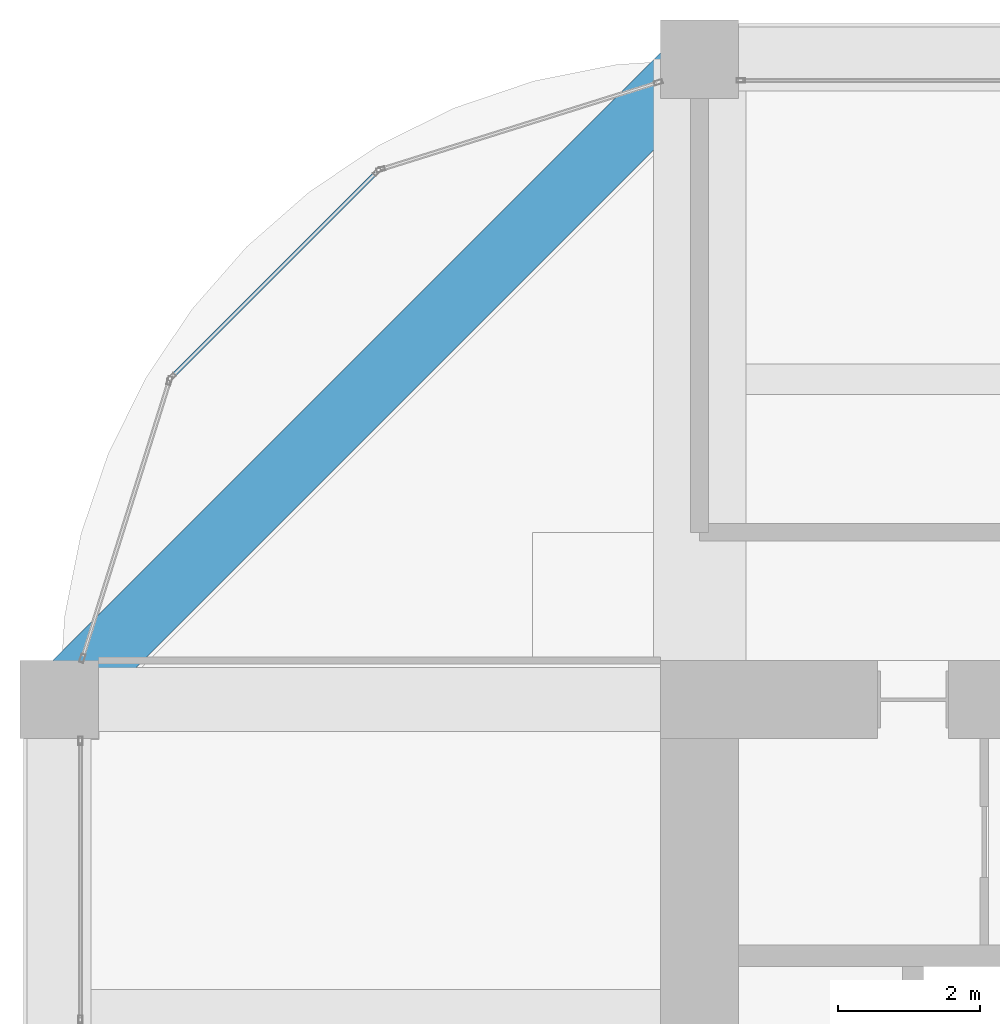
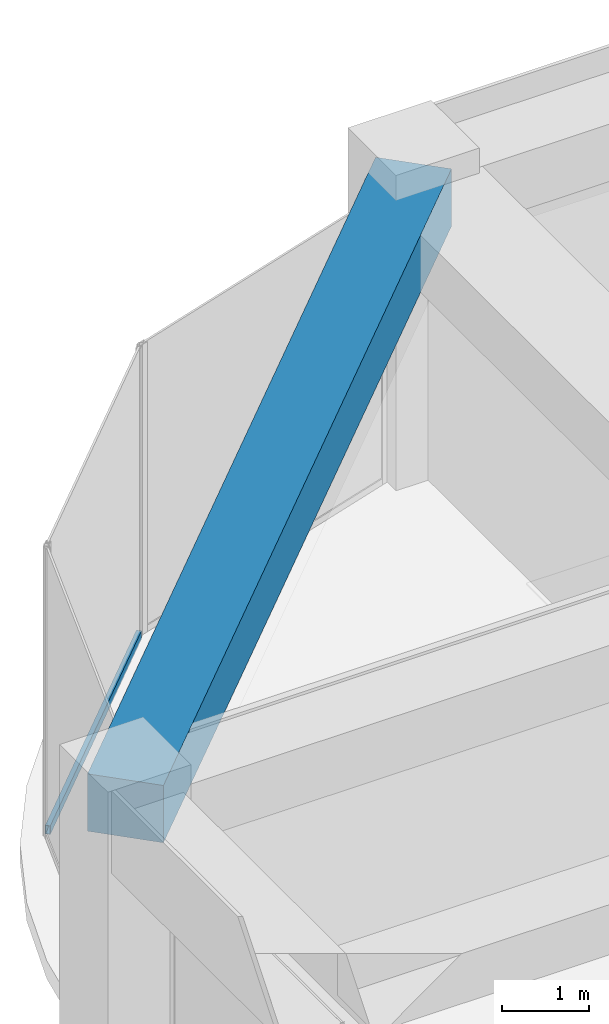
# One storey, part 29 of 44: 1 beam, 1 member, 1 element without a shape of its own.
"""IFC4 building model written with IfcOpenShell, lengths in metres."""

import ifcopenshell
import ifcopenshell.guid

model = None  # the IFC model being written
_history = None  # IfcOwnerHistory: only IFC2X3 demands one
_inside = {}  # id of a spatial element -> (the spatial element, [elements in it])
_under = {}  # id of a project, library or spatial element -> (it, [spatial elements below it])
_declared = {}  # id of a project -> (the project, [libraries it declares])
_typed = {}  # id of a type object -> (the type object, [elements of that type])
_made_of = {}  # id of a material, layer set ... -> (it, [elements and type objects made of it])


def new_model(schema):
    """Start an empty IFC model of exactly this schema.

    Asked for "IFC4X3", IfcOpenShell would pick the latest addendum, in which some entities
    have other attributes; the version numbers below select the first issue.
    IFC2X3 requires an IfcOwnerHistory on every rooted entity: one is made here for all.
    """
    global model, _history
    if schema == "IFC4X3":
        model = ifcopenshell.file(schema_version=(4, 3, 0, 0))
    else:
        model = ifcopenshell.file(schema=schema)
    _inside.clear()
    _under.clear()
    _declared.clear()
    _typed.clear()
    _made_of.clear()
    _history = None
    if model.schema == "IFC2X3":
        org = make("IfcOrganization", Name="unknown")
        user = make(
            "IfcPersonAndOrganization",
            ThePerson=make("IfcPerson", FamilyName="unknown"),
            TheOrganization=org,
        )
        app = make(
            "IfcApplication",
            ApplicationDeveloper=org,
            Version="unknown",
            ApplicationFullName="unknown",
            ApplicationIdentifier="unknown",
        )
        _history = make(
            "IfcOwnerHistory",
            OwningUser=user,
            OwningApplication=app,
            ChangeAction="ADDED",
            CreationDate=0,
        )
    return model


def make(cls, **values):
    """One entity of the class cls with the attributes given. An attribute that is None is left unset."""
    return model.create_entity(
        cls, **{name: value for name, value in values.items() if value is not None}
    )


def rooted(cls, **values):
    """An entity with a GlobalId (a new one), such as an element, a storey or a relation."""
    return make(cls, GlobalId=ifcopenshell.guid.new(), OwnerHistory=_history, **values)


def si_unit(unit_type, name, prefix=None):
    """IfcSIUnit, for example si_unit("LENGTHUNIT", "METRE", prefix="MILLI")."""
    return make("IfcSIUnit", UnitType=unit_type, Prefix=prefix, Name=name)


def assignment(units):
    """IfcUnitAssignment: the units of a project."""
    return None if units is None else make("IfcUnitAssignment", Units=units)


def point(xyz):
    """IfcCartesianPoint."""
    return None if xyz is None else make("IfcCartesianPoint", Coordinates=xyz)


def direction(xyz):
    """IfcDirection."""
    return None if xyz is None else make("IfcDirection", DirectionRatios=xyz)


def frame(location, z_axis=None, x_axis=None):
    """IfcAxis2Placement3D, a coordinate frame: its origin and axes. An axis left out is left unset."""
    return make(
        "IfcAxis2Placement3D",
        Location=point(location),
        Axis=direction(z_axis),
        RefDirection=direction(x_axis),
    )


def frame_2d(location, x_axis=None):
    """IfcAxis2Placement2D, a coordinate frame in the plane: its origin and x axis."""
    return make(
        "IfcAxis2Placement2D", Location=point(location), RefDirection=direction(x_axis)
    )


def origin():
    """The frame at (0, 0, 0) with its axes left unset."""
    return frame((0.0, 0.0, 0.0))


def origin_2d():
    """The frame at (0, 0) in the plane with its x axis left unset."""
    return frame_2d((0.0, 0.0))


def place(relative_to, where):
    """IfcLocalPlacement: puts the frame where relative to a parent placement (None: the world)."""
    return make(
        "IfcLocalPlacement", PlacementRelTo=relative_to, RelativePlacement=where
    )


def context(
    kind, dimensions, precision=None, world=None, true_north=None, identifier=None
):
    """IfcGeometricRepresentationContext, for example the 3D "Model" context."""
    return make(
        "IfcGeometricRepresentationContext",
        ContextIdentifier=identifier,
        ContextType=kind,
        CoordinateSpaceDimension=dimensions,
        Precision=precision,
        WorldCoordinateSystem=world,
        TrueNorth=true_north,
    )


def subcontext(parent, identifier, kind, view, scale=None):
    """IfcGeometricRepresentationSubContext, for example "Body" below "Model"."""
    return make(
        "IfcGeometricRepresentationSubContext",
        ContextIdentifier=identifier,
        ContextType=kind,
        ParentContext=parent,
        TargetScale=scale,
        TargetView=view,
    )


def project(units=None, contexts=None):
    """IfcProject with its units and contexts."""
    return rooted(
        "IfcProject",
        Name="project",
        RepresentationContexts=contexts,
        UnitsInContext=assignment(units),
    )


def spatial(cls, under=None, at=None, **own):
    """A site, building, storey or space (cls), placed at a placement, below another one or the project."""
    s = rooted(cls, ObjectPlacement=at, **own)
    if under is not None:
        _under.setdefault(under.id(), (under, []))[1].append(s)
    return s


def profile(cls, at=None, kind="AREA", **sizes):
    """A parametric profile (cls). Its sizes go by their IFC names, for example OverallWidth=200.0."""
    return make(cls, ProfileType=kind, Position=at, **sizes)


def rectangle(**sizes):
    """IfcRectangleProfileDef."""
    return profile("IfcRectangleProfileDef", **sizes)


def hollow_rectangle(**sizes):
    """IfcRectangleHollowProfileDef."""
    return profile("IfcRectangleHollowProfileDef", **sizes)


def extrude(swept, where, along, depth):
    """IfcExtrudedAreaSolid: the profile swept, set in the frame where, extruded along a direction by depth."""
    return make(
        "IfcExtrudedAreaSolid",
        SweptArea=swept,
        Position=where,
        ExtrudedDirection=direction(along),
        Depth=depth,
    )


def shape(context_of_items, identifier, shape_type, items):
    """IfcShapeRepresentation: the items that make up one representation, for example the "Body"."""
    return make(
        "IfcShapeRepresentation",
        ContextOfItems=context_of_items,
        RepresentationIdentifier=identifier,
        RepresentationType=shape_type,
        Items=items,
    )


def material(Name=None, Category=None):
    """IfcMaterial."""
    return make("IfcMaterial", Name=Name, Category=Category)


def material_profile(
    of_material, cross_section, Name=None, Category=None, Priority=None
):
    """IfcMaterialProfile: a cross section and its material."""
    return make(
        "IfcMaterialProfile",
        Name=Name,
        Material=of_material,
        Profile=cross_section,
        Priority=Priority,
        Category=Category,
    )


def profile_set(profiles, Name=None, composite=None):
    """IfcMaterialProfileSet."""
    return make(
        "IfcMaterialProfileSet",
        Name=Name,
        MaterialProfiles=profiles,
        CompositeProfile=composite,
    )


def made_of(thing, what):
    """Note that an element or type object is made of a material, layer set ...; save() writes the relation."""
    if what is not None:
        _made_of.setdefault(what.id(), (what, []))[1].append(thing)
    return thing


def type_object(cls, material=None, **own):
    """A type object (cls), such as IfcWallType, which elements share."""
    return made_of(rooted(cls, **own), material)


def element(
    cls,
    number,
    at=None,
    inside=None,
    cuts=None,
    type_object=None,
    material=None,
    context=None,
    identifier="Body",
    shape_type=None,
    held_by="IfcProductDefinitionShape",
    body=None,
    shapes=None,
    **own,
):
    """One element of the class cls, such as IfcWall. Its Tag is "e" and its number.

    at: its placement. inside: the storey or other place that contains it. cuts: it is an
    opening in that element (IfcRelVoidsElement). A single representation is given by context,
    identifier, shape_type and body (its items); several are given by shapes. held_by: the class
    of the entity that holds the representations. save() writes the other relations.
    """
    e = rooted(cls, Tag="e%d" % number, ObjectPlacement=at, **own)
    if body is not None:
        shapes = [shape(context, identifier, shape_type, body)]
    if shapes is not None:
        e.Representation = make(held_by, Representations=shapes)
    if inside is not None:
        _inside.setdefault(inside.id(), (inside, []))[1].append(e)
    if cuts is not None:
        rooted(
            "IfcRelVoidsElement", RelatingBuildingElement=cuts, RelatedOpeningElement=e
        )
    if type_object is not None:
        _typed.setdefault(type_object.id(), (type_object, []))[1].append(e)
    return made_of(e, material)


def aggregate(whole, parts):
    """IfcRelAggregates: a whole, such as a stair, and the parts it consists of."""
    return rooted("IfcRelAggregates", RelatingObject=whole, RelatedObjects=parts)


def save(model, path):
    """Write the relations noted so far, then the file.

    IfcRelAggregates (storeys below a building ...), IfcRelContainedInSpatialStructure (elements
    in a storey), IfcRelDefinesByType, IfcRelAssociatesMaterial and IfcRelDeclares: one each for
    every whole, place, type object, material and project.
    """
    for whole, parts in _under.values():
        aggregate(whole, parts)
    for where, things in _inside.values():
        rooted(
            "IfcRelContainedInSpatialStructure",
            RelatedElements=things,
            RelatingStructure=where,
        )
    for kind, things in _typed.values():
        rooted("IfcRelDefinesByType", RelatedObjects=things, RelatingType=kind)
    for what, things in _made_of.values():
        rooted("IfcRelAssociatesMaterial", RelatedObjects=things, RelatingMaterial=what)
    for by, libraries in _declared.values():
        rooted("IfcRelDeclares", RelatingContext=by, RelatedDefinitions=libraries)
    model.write(path)


model = new_model("IFC4")

# Units and contexts
model_context = context("Model", 3, precision=1e-05, world=origin(), true_north=direction((0.0, 1.0)))
body_context = subcontext(model_context, "Body", "Model", "MODEL_VIEW")
ifc_project = project(units=[si_unit("LENGTHUNIT", "METRE"), si_unit("AREAUNIT", "SQUARE_METRE"), si_unit("VOLUMEUNIT", "CUBIC_METRE"), si_unit("PLANEANGLEUNIT", "RADIAN"), si_unit("MASSUNIT", "GRAM", prefix="KILO")], contexts=[model_context])

# Site, building, storey
site_placement = place(None, origin())
site = spatial("IfcSite", under=ifc_project, at=site_placement, CompositionType="ELEMENT")
building_placement = place(site_placement, origin())
building = spatial("IfcBuilding", under=site, at=building_placement, Name="Zorevar Civic Tower", CompositionType="ELEMENT")
storey_placement = place(building_placement, frame((0.0, 0.0, 307.39990234375)))
storey = spatial("IfcBuildingStorey", under=building, at=storey_placement, Name="L75", CompositionType="ELEMENT", Elevation=307.39990234375)

# Curtain wall, member
ifc_material_1 = material(Name="Dark grey solar-control glass in black aluminium frame", Category="aluminium")
curtain_wall_type = type_object("IfcCurtainWallType", Name="Curtain wall CW5 top zone", PredefinedType="NOTDEFINED", material=ifc_material_1)
curtain_wall_placement = place(storey_placement, origin())
curtain_wall = element("IfcCurtainWall", 1, at=curtain_wall_placement, inside=storey, type_object=curtain_wall_type, Name="CW5 L75", PredefinedType="NOTDEFINED")
ifc_material_2 = material(Name="Aluminium, black anodised", Category="aluminium")
ifc_material_profile_1 = material_profile(ifc_material_2, hollow_rectangle(XDim=0.06005859375, YDim=0.1201171875, WallThickness=0.0029296875, at=origin_2d()), Name="AL 120x60x3")
ifc_profile_set_1 = profile_set([ifc_material_profile_1], Name="Aluminium, black anodised")
member_type = type_object("IfcMemberType", Name="CW5 transom AL 120x60x3", PredefinedType="USERDEFINED", material=ifc_profile_set_1)
member_placement = place(storey_placement, frame((13.44970703125, 43.3984375, 0.030029296875), z_axis=(-0.707106781187, -0.707106781187, 0.0), x_axis=(0.707106781187, -0.707106781187, 0.0)))
member = element("IfcMember", 2, at=member_placement, type_object=member_type, Name="CW5 sill transom", ObjectType="TRANSOM", PredefinedType="USERDEFINED", context=body_context, shape_type="SweptSolid", body=[
    extrude(hollow_rectangle(XDim=0.06005859375, YDim=0.1201171875, WallThickness=0.0029296875, at=origin_2d()), origin(), (0.0, 0.0, 1.0), 4.02783203125),
])
aggregate(curtain_wall, [member])

# Beam
ifc_material_3 = material(Name="Concrete C50/60", Category="concrete")
ifc_material_profile_2 = material_profile(ifc_material_3, rectangle(XDim=0.89990234375, YDim=0.800048828125, at=origin_2d()), Name="RC 900x800")
ifc_profile_set_2 = profile_set([ifc_material_profile_2], Name="Concrete C50/60")
beam_type = type_object("IfcBeamType", Name="Edge beam RC 900x800", PredefinedType="SPANDREL", material=ifc_profile_set_2)
beam_placement = place(storey_placement, frame((18.0, 45.0, 3.650146484375), z_axis=(-0.707106781187, -0.707106781187, 0.0), x_axis=(0.707106781187, -0.707106781187, 0.0)))
element("IfcBeam", 3, at=beam_placement, inside=storey, type_object=beam_type, Name="Corner edge beam RF", PredefinedType="SPANDREL", context=body_context, shape_type="SweptSolid", body=[
    extrude(rectangle(XDim=0.89990234375, YDim=0.800048828125, at=origin_2d()), origin(), (0.0, 0.0, 1.0), 12.72802734375),
])

save(model, "model.ifc")
